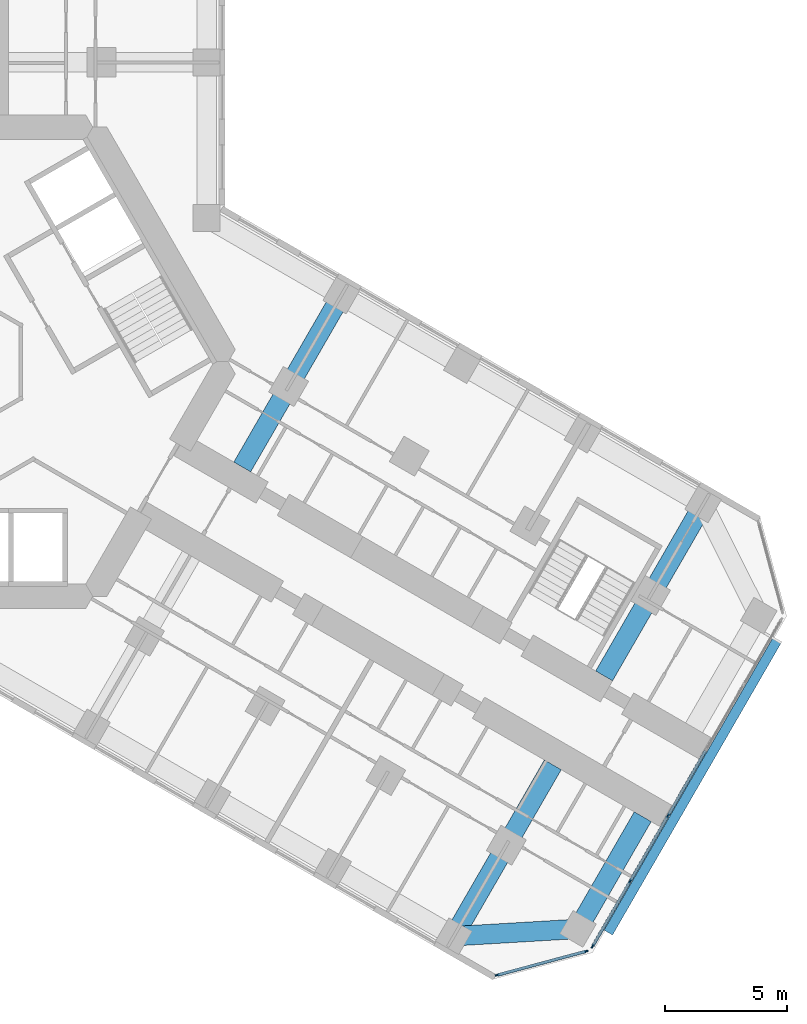
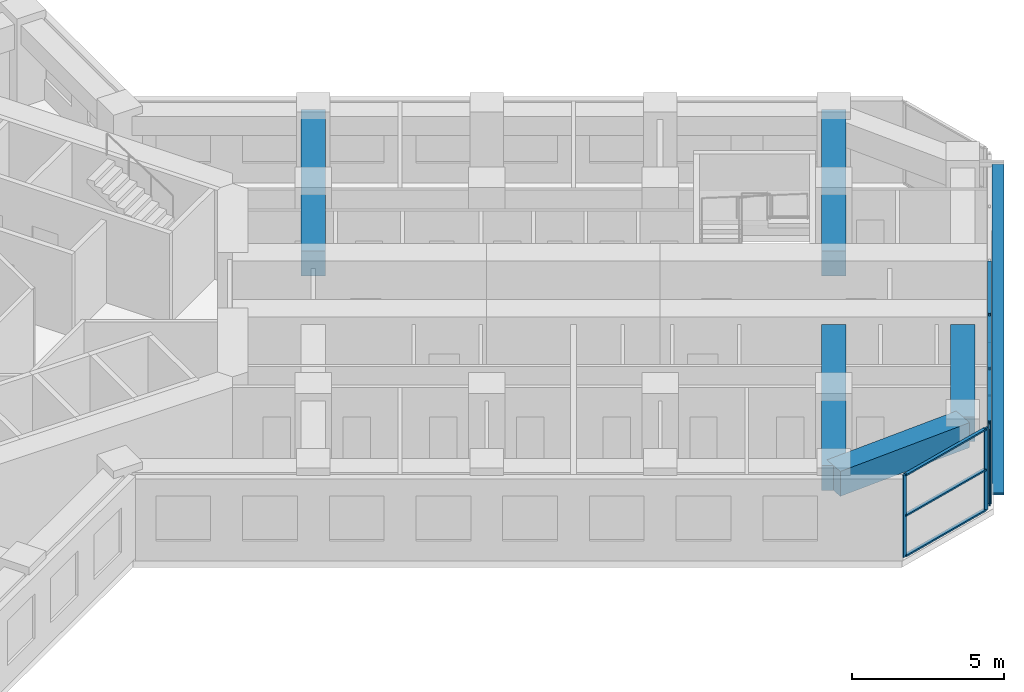
# One storey, part 5 of 21: 15 members, 5 beams, 2 elements without a shape of their own.
"""IFC4 building model written with IfcOpenShell, lengths in metres."""

from ifc_helpers import new_model, si_unit, direction, frame, origin, origin_2d, place, context, subcontext, project, spatial, rectangle, extrude, material, material_profile, profile_set, type_object, element, aggregate, save


model = new_model("IFC4")

# Units and contexts
model_context = context("Model", 3, precision=1e-05, world=origin(), true_north=direction((0.0, 1.0)))
body_context = subcontext(model_context, "Body", "Model", "MODEL_VIEW")
ifc_project = project(units=[si_unit("LENGTHUNIT", "METRE"), si_unit("AREAUNIT", "SQUARE_METRE"), si_unit("VOLUMEUNIT", "CUBIC_METRE"), si_unit("PLANEANGLEUNIT", "RADIAN"), si_unit("MASSUNIT", "GRAM", prefix="KILO")], contexts=[model_context])

# Site, building, storey
site_placement = place(None, origin())
site = spatial("IfcSite", under=ifc_project, at=site_placement, CompositionType="ELEMENT")
building_placement = place(site_placement, origin())
building = spatial("IfcBuilding", under=site, at=building_placement, Name="Kosmar Iwan School Tower", CompositionType="ELEMENT")
storey_placement = place(building_placement, frame((0.0, 0.0, 28.800048828125)))
storey = spatial("IfcBuildingStorey", under=building, at=storey_placement, Name="L06", CompositionType="ELEMENT", Elevation=28.800048828125)

# Beams
ifc_material_1 = material(Name="Concrete C50/60", Category="concrete")
ifc_material_profile_1 = material_profile(ifc_material_1, rectangle(XDim=0.800048828125, YDim=1.0, at=origin_2d()), Name="RC 800x1000 + HD 400x347")
ifc_profile_set_1 = profile_set([ifc_material_profile_1], Name="Concrete C50/60")
beam_type_1 = type_object("IfcBeamType", Name="Composite tip beam 800x1000 HD 400x347", PredefinedType="BEAM", material=ifc_profile_set_1)
beam_1_placement = place(storey_placement, frame((20.31787109375, -23.508544921875, 2.800048828125), z_axis=(0.998260616478, 0.058955420358, 0.0), x_axis=(-0.058955420358, 0.998260616478, 0.0)))
element("IfcBeam", 1, at=beam_1_placement, inside=storey, type_object=beam_type_1, Name="Tip beam CR", PredefinedType="BEAM", context=body_context, shape_type="SweptSolid", body=[
    extrude(rectangle(XDim=0.800048828125, YDim=1.0, at=origin_2d()), origin(), (0.0, 0.0, 1.0), 5.08935546875),
])
beam_2_placement = place(storey_placement, frame((25.3984375, -23.20849609375, 2.800048828125), z_axis=(0.499993606316, 0.866029095148, 0.0), x_axis=(-0.866029095148, 0.499993606316, 0.0)))
element("IfcBeam", 2, at=beam_2_placement, inside=storey, type_object=beam_type_1, Name="Tip beam CR to corridor wall", PredefinedType="BEAM", context=body_context, shape_type="SweptSolid", body=[
    extrude(rectangle(XDim=0.800048828125, YDim=1.0, at=origin_2d()), origin(), (0.0, 0.0, 1.0), 5.2998046875),
])
ifc_material_2 = material(Name="Concrete C50/60", Category="concrete")
ifc_material_profile_2 = material_profile(ifc_material_2, rectangle(XDim=0.800048828125, YDim=1.0, at=origin_2d()), Name="RC 800x1000 + HD 400x634")
ifc_profile_set_2 = profile_set([ifc_material_profile_2], Name="Concrete C50/60")
beam_type_2 = type_object("IfcBeamType", Name="Composite transverse beam 800x1000 HD 400x634", PredefinedType="BEAM", material=ifc_profile_set_2)
for number, where, z_axis, x_axis, name in (
    (3, (15.708740234375, 2.70849609375, 2.800048828125), (-0.499999880539, -0.866025472755, 0.0), (0.866025472755, -0.499999880539, 0.0), "Transverse beam CL1"),
    (4, (30.517822265625, -5.841552734375, 2.800048828125), (-0.499999880539, -0.866025472755, 0.0), (0.866025472755, -0.499999880539, 0.0), "Transverse beam CL4"),
    (5, (20.31787109375, -23.508544921875, 2.800048828125), (0.499999880539, 0.866025472755, 0.0), (-0.866025472755, 0.499999880539, 0.0), "Transverse beam CR4"),
):
    element("IfcBeam", number, at=place(storey_placement, frame(where, z_axis=z_axis, x_axis=x_axis)), inside=storey, type_object=beam_type_2, Name=name, PredefinedType="BEAM", context=body_context, shape_type="SweptSolid", body=[
        extrude(rectangle(XDim=0.800048828125, YDim=1.0, at=origin_2d()), origin(), (0.0, 0.0, 1.0), 8.10009765625),
    ])

# Member
ifc_material_3 = material(Name="Black anodised aluminium", Category="aluminium")
ifc_material_profile_3 = material_profile(ifc_material_3, rectangle(XDim=0.10009765625, YDim=0.39990234375, at=origin_2d()), Name="FIN 100x400")
ifc_profile_set_3 = profile_set([ifc_material_profile_3], Name="Black anodised aluminium")
member_type_1 = type_object("IfcMemberType", Name="Diagonal fin 100x400", PredefinedType="USERDEFINED", material=ifc_profile_set_3)
member_1_placement = place(storey_placement, frame((26.645263671875, -23.34912109375, -0.150146484375), z_axis=(0.484219792667, 0.838708782627, 0.249196248635), x_axis=(-0.124596397335, -0.21581127891, 0.968453008497)))
element("IfcMember", 6, at=member_1_placement, inside=storey, type_object=member_type_1, Name="Diagonal fin L06-F03", ObjectType="FIN", PredefinedType="USERDEFINED", context=body_context, shape_type="SweptSolid", body=[
    extrude(rectangle(XDim=0.10009765625, YDim=0.39990234375, at=origin_2d()), origin(), (0.0, 0.0, 1.0), 14.24609375),
])

# Curtain wall, members
ifc_material_4 = material(Name="Dark glass in black aluminium frame", Category="aluminium")
curtain_wall_type_1 = type_object("IfcCurtainWallType", Name="Chamfer curtain wall dark glass", PredefinedType="USERDEFINED", material=ifc_material_4)
curtain_wall_1_placement = place(storey_placement, origin())
curtain_wall_1 = element("IfcCurtainWall", 7, at=curtain_wall_1_placement, inside=storey, type_object=curtain_wall_type_1, Name="Curtain wall L06-F02", ObjectType="FACETED CURTAIN WALL", PredefinedType="USERDEFINED")
ifc_material_5 = material(Name="Black anodised aluminium", Category="aluminium")
ifc_material_profile_4 = material_profile(ifc_material_5, rectangle(XDim=0.06005859375, YDim=0.159912109375, at=origin_2d()), Name="MULLION 60x160")
ifc_profile_set_4 = profile_set([ifc_material_profile_4], Name="Black anodised aluminium")
member_type_2 = type_object("IfcMemberType", Name="Mullion 60x160", PredefinedType="MULLION", material=ifc_profile_set_4)
member_2_placement = place(storey_placement, frame((22.0830078125, -25.102294921875, 0.0), z_axis=(0.0, 0.0, 1.0), x_axis=(-0.258818861462, 0.965925875495, 0.0)))
member_2 = element("IfcMember", 8, at=member_2_placement, type_object=member_type_2, Name="CW2 mullion 1", PredefinedType="MULLION", context=body_context, shape_type="SweptSolid", body=[
    extrude(rectangle(XDim=0.06005859375, YDim=0.159912109375, at=origin_2d()), origin(), (0.0, 0.0, 1.0), 3.300048828125),
])
member_3_placement = place(storey_placement, frame((25.733154296875, -24.124267578125, 0.0), z_axis=(0.0, 0.0, 1.0), x_axis=(-0.258818861462, 0.965925875495, 0.0)))
member_3 = element("IfcMember", 9, at=member_3_placement, type_object=member_type_2, Name="CW2 mullion 2", PredefinedType="MULLION", context=body_context, shape_type="SweptSolid", body=[
    extrude(rectangle(XDim=0.06005859375, YDim=0.159912109375, at=origin_2d()), origin(), (0.0, 0.0, 1.0), 3.300048828125),
])

ifc_material_6 = material(Name="Dark glass in black aluminium frame", Category="aluminium")
curtain_wall_type_2 = type_object("IfcCurtainWallType", Name="Tower curtain wall dark glass", PredefinedType="USERDEFINED", material=ifc_material_6)
curtain_wall_2_placement = place(storey_placement, origin())
curtain_wall_2 = element("IfcCurtainWall", 10, at=curtain_wall_2_placement, inside=storey, type_object=curtain_wall_type_2, Name="Curtain wall L06-F03", ObjectType="UNITISED CURTAIN WALL", PredefinedType="USERDEFINED")
member_4_placement = place(storey_placement, frame((25.9970703125, -23.921630859375, 0.0), z_axis=(0.0, 0.0, 1.0), x_axis=(-0.866025405329, 0.499999997325, 0.0)))
member_4 = element("IfcMember", 11, at=member_4_placement, type_object=member_type_2, Name="CW1 mullion 1", PredefinedType="MULLION", context=body_context, shape_type="SweptSolid", body=[
    extrude(rectangle(XDim=0.06005859375, YDim=0.159912109375, at=origin_2d()), origin(), (0.0, 0.0, 1.0), 3.300048828125),
])
member_5_placement = place(storey_placement, frame((27.53173828125, -21.263671875, 0.0), z_axis=(0.0, 0.0, 1.0), x_axis=(-0.866025405329, 0.499999997325, 0.0)))
member_5 = element("IfcMember", 12, at=member_5_placement, type_object=member_type_2, Name="CW1 mullion 2", PredefinedType="MULLION", context=body_context, shape_type="SweptSolid", body=[
    extrude(rectangle(XDim=0.06005859375, YDim=0.159912109375, at=origin_2d()), origin(), (0.0, 0.0, 1.0), 3.300048828125),
])
member_6_placement = place(storey_placement, frame((29.081298828125, -18.57958984375, 0.0), z_axis=(0.0, 0.0, 1.0), x_axis=(-0.866025405329, 0.499999997325, 0.0)))
member_6 = element("IfcMember", 13, at=member_6_placement, type_object=member_type_2, Name="CW1 mullion 3", PredefinedType="MULLION", context=body_context, shape_type="SweptSolid", body=[
    extrude(rectangle(XDim=0.06005859375, YDim=0.159912109375, at=origin_2d()), origin(), (0.0, 0.0, 1.0), 3.300048828125),
])

# Member
ifc_material_7 = material(Name="Black anodised aluminium", Category="aluminium")
ifc_material_profile_5 = material_profile(ifc_material_7, rectangle(XDim=0.1201171875, YDim=0.06005859375, at=origin_2d()), Name="TRANSOM 60x120")
ifc_profile_set_5 = profile_set([ifc_material_profile_5], Name="Black anodised aluminium")
member_type_3 = type_object("IfcMemberType", Name="Transom 60x120", PredefinedType="USERDEFINED", material=ifc_profile_set_5)
member_7_placement = place(storey_placement, frame((22.11181640625, -25.094482421875, 0.030029296875), z_axis=(0.965923731726, 0.258826861991, 0.0), x_axis=(-0.258826861991, 0.965923731726, 0.0)))
member_7 = element("IfcMember", 14, at=member_7_placement, type_object=member_type_3, Name="CW2 transom 1.1", ObjectType="TRANSOM", PredefinedType="USERDEFINED", context=body_context, shape_type="SweptSolid", body=[
    extrude(rectangle(XDim=0.1201171875, YDim=0.06005859375, at=origin_2d()), origin(), (0.0, 0.0, 1.0), 3.71923828125),
])

member_8_placement = place(storey_placement, frame((22.11181640625, -25.094482421875, 1.64990234375), z_axis=(0.965923731726, 0.258826861991, 0.0), x_axis=(-0.258826861991, 0.965923731726, 0.0)))
member_8 = element("IfcMember", 15, at=member_8_placement, type_object=member_type_3, Name="CW2 transom 1.2", ObjectType="TRANSOM", PredefinedType="USERDEFINED", context=body_context, shape_type="SweptSolid", body=[
    extrude(rectangle(XDim=0.1201171875, YDim=0.06005859375, at=origin_2d()), origin(), (0.0, 0.0, 1.0), 3.71923828125),
])

member_9_placement = place(storey_placement, frame((22.11181640625, -25.094482421875, 3.27001953125), z_axis=(0.965923731726, 0.258826861991, 0.0), x_axis=(-0.258826861991, 0.965923731726, 0.0)))
member_9 = element("IfcMember", 16, at=member_9_placement, type_object=member_type_3, Name="CW2 transom 1.3", ObjectType="TRANSOM", PredefinedType="USERDEFINED", context=body_context, shape_type="SweptSolid", body=[
    extrude(rectangle(XDim=0.1201171875, YDim=0.06005859375, at=origin_2d()), origin(), (0.0, 0.0, 1.0), 3.71923828125),
])

aggregate(curtain_wall_1, [member_2, member_3, member_7, member_8, member_9])

member_10_placement = place(storey_placement, frame((26.01220703125, -23.895751953125, 0.030029296875), z_axis=(0.499986971506, 0.866032925658, 0.0), x_axis=(-0.866032925658, 0.499986971506, 0.0)))
member_10 = element("IfcMember", 17, at=member_10_placement, type_object=member_type_3, Name="CW1 transom 1.1", ObjectType="TRANSOM", PredefinedType="USERDEFINED", context=body_context, shape_type="SweptSolid", body=[
    extrude(rectangle(XDim=0.1201171875, YDim=0.06005859375, at=origin_2d()), origin(), (0.0, 0.0, 1.0), 3.00927734375),
])

member_11_placement = place(storey_placement, frame((26.01220703125, -23.895751953125, 3.27001953125), z_axis=(0.499986971506, 0.866032925658, 0.0), x_axis=(-0.866032925658, 0.499986971506, 0.0)))
member_11 = element("IfcMember", 18, at=member_11_placement, type_object=member_type_3, Name="CW1 transom 1.2", ObjectType="TRANSOM", PredefinedType="USERDEFINED", context=body_context, shape_type="SweptSolid", body=[
    extrude(rectangle(XDim=0.1201171875, YDim=0.06005859375, at=origin_2d()), origin(), (0.0, 0.0, 1.0), 3.00927734375),
])

member_12_placement = place(storey_placement, frame((27.546875, -21.237548828125, 0.030029296875), z_axis=(0.499975102327, 0.866039777986, 0.0), x_axis=(-0.866039777986, 0.499975102327, 0.0)))
member_12 = element("IfcMember", 19, at=member_12_placement, type_object=member_type_3, Name="CW1 transom 2.1", ObjectType="TRANSOM", PredefinedType="USERDEFINED", context=body_context, shape_type="SweptSolid", body=[
    extrude(rectangle(XDim=0.1201171875, YDim=0.06005859375, at=origin_2d()), origin(), (0.0, 0.0, 1.0), 3.039306640625),
])

member_13_placement = place(storey_placement, frame((27.546875, -21.237548828125, 3.27001953125), z_axis=(0.499975102327, 0.866039777986, 0.0), x_axis=(-0.866039777986, 0.499975102327, 0.0)))
member_13 = element("IfcMember", 20, at=member_13_placement, type_object=member_type_3, Name="CW1 transom 2.2", ObjectType="TRANSOM", PredefinedType="USERDEFINED", context=body_context, shape_type="SweptSolid", body=[
    extrude(rectangle(XDim=0.1201171875, YDim=0.06005859375, at=origin_2d()), origin(), (0.0, 0.0, 1.0), 3.039306640625),
])

member_14_placement = place(storey_placement, frame((29.096435546875, -18.553466796875, 0.030029296875), z_axis=(0.499975102327, 0.866039777986, 0.0), x_axis=(-0.866039777986, 0.499975102327, 0.0)))
member_14 = element("IfcMember", 21, at=member_14_placement, type_object=member_type_3, Name="CW1 transom 3.1", ObjectType="TRANSOM", PredefinedType="USERDEFINED", context=body_context, shape_type="SweptSolid", body=[
    extrude(rectangle(XDim=0.1201171875, YDim=0.06005859375, at=origin_2d()), origin(), (0.0, 0.0, 1.0), 3.039306640625),
])

member_15_placement = place(storey_placement, frame((29.096435546875, -18.553466796875, 3.27001953125), z_axis=(0.499975102327, 0.866039777986, 0.0), x_axis=(-0.866039777986, 0.499975102327, 0.0)))
member_15 = element("IfcMember", 22, at=member_15_placement, type_object=member_type_3, Name="CW1 transom 3.2", ObjectType="TRANSOM", PredefinedType="USERDEFINED", context=body_context, shape_type="SweptSolid", body=[
    extrude(rectangle(XDim=0.1201171875, YDim=0.06005859375, at=origin_2d()), origin(), (0.0, 0.0, 1.0), 3.039306640625),
])

aggregate(curtain_wall_2, [member_4, member_5, member_6, member_10, member_11, member_12, member_13, member_14, member_15])

save(model, "model.ifc")
